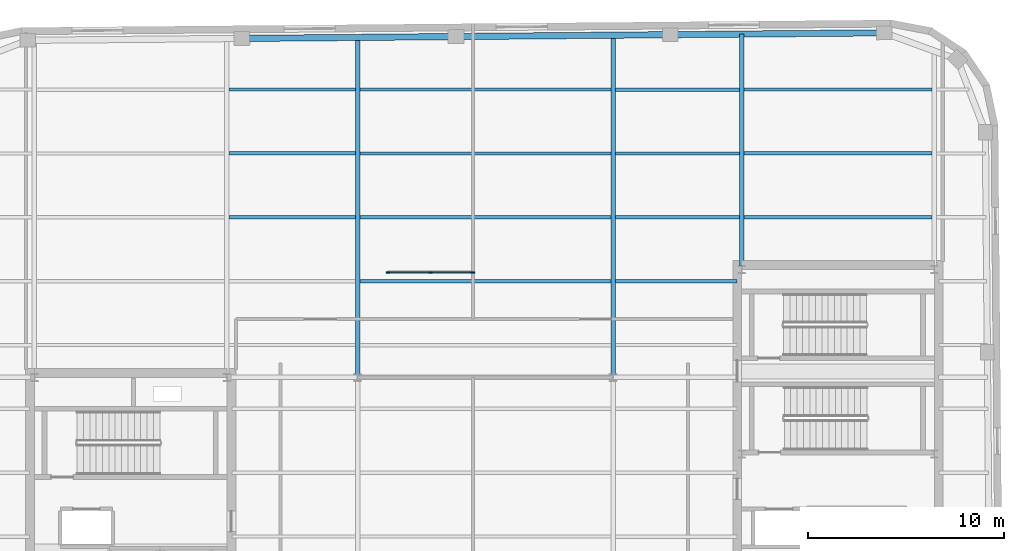
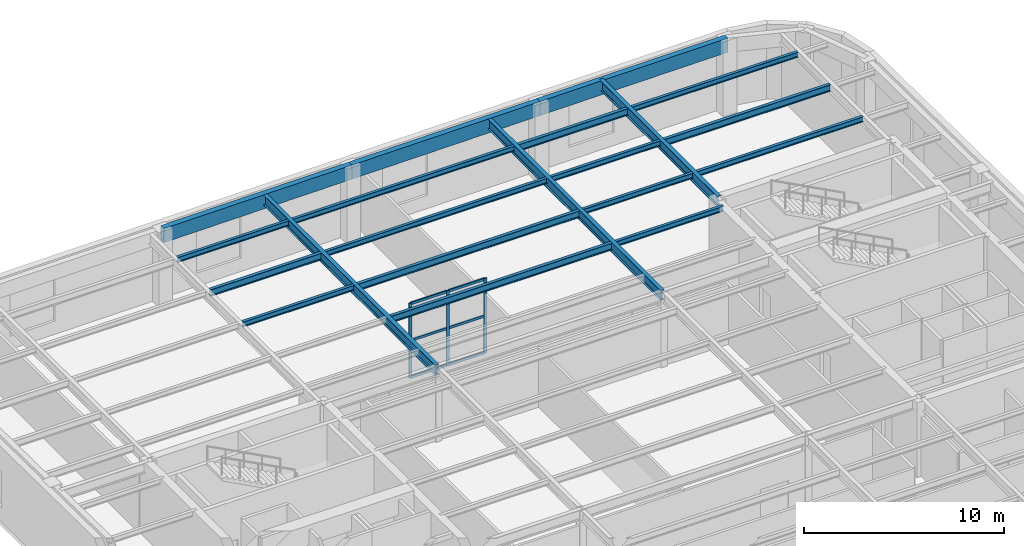
# One storey, part 6 of 13: 20 beams, 9 members, 1 element without a shape of its own.
"""IFC4 building model written with IfcOpenShell, lengths in metres."""

from ifc_helpers import new_model, si_unit, direction, frame, origin, origin_2d, place, context, subcontext, project, spatial, rectangle, hollow_rectangle, i_section, extrude, material, material_profile, profile_set, type_object, element, aggregate, save


model = new_model("IFC4")

# Units and contexts
model_context = context("Model", 3, precision=1e-05, world=origin(), true_north=direction((0.0, 1.0)))
body_context = subcontext(model_context, "Body", "Model", "MODEL_VIEW")
ifc_project = project(units=[si_unit("LENGTHUNIT", "METRE"), si_unit("AREAUNIT", "SQUARE_METRE"), si_unit("VOLUMEUNIT", "CUBIC_METRE"), si_unit("PLANEANGLEUNIT", "RADIAN"), si_unit("MASSUNIT", "GRAM", prefix="KILO")], contexts=[model_context])

# Site, building, storey
site_placement = place(None, origin())
site = spatial("IfcSite", under=ifc_project, at=site_placement, CompositionType="ELEMENT")
building_placement = place(site_placement, origin())
building = spatial("IfcBuilding", under=site, at=building_placement, Name="Kolvaren Arena Tower", CompositionType="ELEMENT")
storey_placement = place(building_placement, frame((0.0, 0.0, 312.39990234375)))
storey = spatial("IfcBuildingStorey", under=building, at=storey_placement, Name="L77", CompositionType="ELEMENT", Elevation=312.39990234375)

# Beams
ifc_material_1 = material(Name="Steel CSA G40.21 350W", Category="steel")
ifc_material_profile_1 = material_profile(ifc_material_1, i_section(OverallWidth=0.180908203125, OverallDepth=0.4169921875, WebThickness=0.010986328125, FlangeThickness=0.018310546875, FilletRadius=0.011962890625, at=origin_2d()), Name="W410x85")
ifc_profile_set_1 = profile_set([ifc_material_profile_1], Name="Steel CSA G40.21 350W")
beam_type_1 = type_object("IfcBeamType", Name="BEAM-F3", PredefinedType="BEAM", material=ifc_profile_set_1)
for number, where, z_axis, x_axis, name in (
    (1, (31.114013671875, 38.75, 4.3515625), (1.0, 0.0, 0.0), (0.0, 1.0, 0.0), "Composite Floor Beam (L77)"),
    (2, (31.114013671875, 42.0, 4.3515625), (1.0, 0.0, 0.0), (0.0, 1.0, 0.0), "Composite Floor Beam (L77)"),
):
    element("IfcBeam", number, at=place(storey_placement, frame(where, z_axis=z_axis, x_axis=x_axis)), inside=storey, type_object=beam_type_1, Name=name, PredefinedType="BEAM", context=body_context, shape_type="SweptSolid", body=[
        extrude(i_section(OverallWidth=0.180908203125, OverallDepth=0.4169921875, WebThickness=0.010986328125, FlangeThickness=0.018310546875, FilletRadius=0.011962890625, at=origin_2d()), origin(), (0.0, 0.0, 1.0), 12.77197265625),
    ])
beam_1_placement = place(storey_placement, frame((24.464111328125, 45.25, 4.3515625), z_axis=(1.0, 0.0, 0.0), x_axis=(0.0, 1.0, 0.0)))
element("IfcBeam", 3, at=beam_1_placement, inside=storey, type_object=beam_type_1, Name="Composite Floor Beam (L77)", PredefinedType="BEAM", context=body_context, shape_type="SweptSolid", body=[
    extrude(i_section(OverallWidth=0.180908203125, OverallDepth=0.4169921875, WebThickness=0.010986328125, FlangeThickness=0.018310546875, FilletRadius=0.011962890625, at=origin_2d()), origin(), (0.0, 0.0, 1.0), 6.421875),
])
beam_2_placement = place(storey_placement, frame((50.6640625, 45.25, 4.3515625), z_axis=(1.0, 0.0, 0.0), x_axis=(0.0, 1.0, 0.0)))
element("IfcBeam", 4, at=beam_2_placement, inside=storey, type_object=beam_type_1, Name="Composite Floor Beam (L77)", PredefinedType="BEAM", context=body_context, shape_type="SweptSolid", body=[
    extrude(i_section(OverallWidth=0.180908203125, OverallDepth=0.4169921875, WebThickness=0.010986328125, FlangeThickness=0.018310546875, FilletRadius=0.011962890625, at=origin_2d()), origin(), (0.0, 0.0, 1.0), 9.572021484375),
])
beam_3_placement = place(storey_placement, frame((44.114013671875, 48.5, 4.3515625), z_axis=(1.0, 0.0, 0.0), x_axis=(0.0, 1.0, 0.0)))
element("IfcBeam", 5, at=beam_3_placement, inside=storey, type_object=beam_type_1, Name="Composite Floor Beam (L77)", PredefinedType="BEAM", context=body_context, shape_type="SweptSolid", body=[
    extrude(i_section(OverallWidth=0.180908203125, OverallDepth=0.4169921875, WebThickness=0.010986328125, FlangeThickness=0.018310546875, FilletRadius=0.011962890625, at=origin_2d()), origin(), (0.0, 0.0, 1.0), 6.322021484375),
])

# Curtain wall, members
ifc_material_2 = material(Name="Anodised aluminium unitised curtain wall", Category="aluminium")
curtain_wall_type = type_object("IfcCurtainWallType", Name="CW-SYS-06", PredefinedType="USERDEFINED", material=ifc_material_2)
curtain_wall_placement = place(storey_placement, origin())
curtain_wall = element("IfcCurtainWall", 6, at=curtain_wall_placement, inside=storey, type_object=curtain_wall_type, Name="Wintergarden Glazed Curtain Wall (L77)", ObjectType="UNITISED CURTAIN WALL", PredefinedType="USERDEFINED")
ifc_material_3 = material(Name="Anodised aluminium 6063-T6", Category="aluminium")
ifc_material_profile_2 = material_profile(ifc_material_3, rectangle(XDim=0.080078125, YDim=0.179931640625, at=origin_2d()), Name="ALU-80x180")
ifc_profile_set_2 = profile_set([ifc_material_profile_2], Name="Anodised aluminium 6063-T6")
member_type_1 = type_object("IfcMemberType", Name="CWM-STD", PredefinedType="MULLION", material=ifc_profile_set_2)
member_1_placement = place(storey_placement, frame((32.5400390625, 39.199951171875, 0.0), z_axis=(0.0, 0.0, 1.0), x_axis=(0.0, 1.0, 0.0)))
member_1 = element("IfcMember", 7, at=member_1_placement, type_object=member_type_1, Name="CW6 mullion 1", PredefinedType="MULLION", context=body_context, shape_type="SweptSolid", body=[
    extrude(rectangle(XDim=0.080078125, YDim=0.179931640625, at=origin_2d()), origin(), (0.0, 0.0, 1.0), 4.56005859375),
])
member_2_placement = place(storey_placement, frame((34.699951171875, 39.199951171875, 0.0), z_axis=(0.0, 0.0, 1.0), x_axis=(0.0, 1.0, 0.0)))
member_2 = element("IfcMember", 8, at=member_2_placement, type_object=member_type_1, Name="CW6 mullion 2", PredefinedType="MULLION", context=body_context, shape_type="SweptSolid", body=[
    extrude(rectangle(XDim=0.080078125, YDim=0.179931640625, at=origin_2d()), origin(), (0.0, 0.0, 1.0), 4.56005859375),
])
member_3_placement = place(storey_placement, frame((36.860107421875, 39.199951171875, 0.0), z_axis=(0.0, 0.0, 1.0), x_axis=(0.0, 1.0, 0.0)))
member_3 = element("IfcMember", 9, at=member_3_placement, type_object=member_type_1, Name="CW6 mullion 3", PredefinedType="MULLION", context=body_context, shape_type="SweptSolid", body=[
    extrude(rectangle(XDim=0.080078125, YDim=0.179931640625, at=origin_2d()), origin(), (0.0, 0.0, 1.0), 4.56005859375),
])
ifc_material_profile_3 = material_profile(ifc_material_3, rectangle(XDim=0.080078125, YDim=0.14990234375, at=origin_2d()), Name="ALU-80x150")
ifc_profile_set_3 = profile_set([ifc_material_profile_3], Name="Anodised aluminium 6063-T6")
member_type_2 = type_object("IfcMemberType", Name="CWT-STD", PredefinedType="USERDEFINED", material=ifc_profile_set_3)
member_4_placement = place(storey_placement, frame((32.580078125, 39.199951171875, 0.0400390625), z_axis=(1.0, 0.0, 0.0), x_axis=(0.0, 1.0, 0.0)))
member_4 = element("IfcMember", 10, at=member_4_placement, type_object=member_type_2, Name="CW6 transom 1.1", ObjectType="TRANSOM", PredefinedType="USERDEFINED", context=body_context, shape_type="SweptSolid", body=[
    extrude(rectangle(XDim=0.080078125, YDim=0.14990234375, at=origin_2d()), origin(), (0.0, 0.0, 1.0), 2.079833984375),
])
member_5_placement = place(storey_placement, frame((32.580078125, 39.199951171875, 2.280029296875), z_axis=(1.0, 0.0, 0.0), x_axis=(0.0, 1.0, 0.0)))
member_5 = element("IfcMember", 11, at=member_5_placement, type_object=member_type_2, Name="CW6 transom 1.2", ObjectType="TRANSOM", PredefinedType="USERDEFINED", context=body_context, shape_type="SweptSolid", body=[
    extrude(rectangle(XDim=0.080078125, YDim=0.14990234375, at=origin_2d()), origin(), (0.0, 0.0, 1.0), 2.079833984375),
])
member_6_placement = place(storey_placement, frame((32.580078125, 39.199951171875, 4.52001953125), z_axis=(1.0, 0.0, 0.0), x_axis=(0.0, 1.0, 0.0)))
member_6 = element("IfcMember", 12, at=member_6_placement, type_object=member_type_2, Name="CW6 transom 1.3", ObjectType="TRANSOM", PredefinedType="USERDEFINED", context=body_context, shape_type="SweptSolid", body=[
    extrude(rectangle(XDim=0.080078125, YDim=0.14990234375, at=origin_2d()), origin(), (0.0, 0.0, 1.0), 2.079833984375),
])
member_7_placement = place(storey_placement, frame((34.739990234375, 39.199951171875, 0.0400390625), z_axis=(1.0, 0.0, 0.0), x_axis=(0.0, 1.0, 0.0)))
member_7 = element("IfcMember", 13, at=member_7_placement, type_object=member_type_2, Name="CW6 transom 2.1", ObjectType="TRANSOM", PredefinedType="USERDEFINED", context=body_context, shape_type="SweptSolid", body=[
    extrude(rectangle(XDim=0.080078125, YDim=0.14990234375, at=origin_2d()), origin(), (0.0, 0.0, 1.0), 2.080078125),
])
member_8_placement = place(storey_placement, frame((34.739990234375, 39.199951171875, 2.280029296875), z_axis=(1.0, 0.0, 0.0), x_axis=(0.0, 1.0, 0.0)))
member_8 = element("IfcMember", 14, at=member_8_placement, type_object=member_type_2, Name="CW6 transom 2.2", ObjectType="TRANSOM", PredefinedType="USERDEFINED", context=body_context, shape_type="SweptSolid", body=[
    extrude(rectangle(XDim=0.080078125, YDim=0.14990234375, at=origin_2d()), origin(), (0.0, 0.0, 1.0), 2.080078125),
])
member_9_placement = place(storey_placement, frame((34.739990234375, 39.199951171875, 4.52001953125), z_axis=(1.0, 0.0, 0.0), x_axis=(0.0, 1.0, 0.0)))
member_9 = element("IfcMember", 15, at=member_9_placement, type_object=member_type_2, Name="CW6 transom 2.3", ObjectType="TRANSOM", PredefinedType="USERDEFINED", context=body_context, shape_type="SweptSolid", body=[
    extrude(rectangle(XDim=0.080078125, YDim=0.14990234375, at=origin_2d()), origin(), (0.0, 0.0, 1.0), 2.080078125),
])
aggregate(curtain_wall, [member_1, member_2, member_3, member_4, member_5, member_6, member_7, member_8, member_9])

# Beams
ifc_material_profile_4 = material_profile(ifc_material_1, i_section(OverallWidth=0.22802734375, OverallDepth=0.615966796875, WebThickness=0.013916015625, FlangeThickness=0.02490234375, FilletRadius=0.014892578125, at=origin_2d()), Name="W610x174")
ifc_profile_set_4 = profile_set([ifc_material_profile_4], Name="Steel CSA G40.21 350W")
beam_type_2 = type_object("IfcBeamType", Name="GIRD-T3", PredefinedType="BEAM", material=ifc_profile_set_4)
beam_4_placement = place(storey_placement, frame((31.0, 33.85009765625, 4.252197265625), z_axis=(0.0, 1.0, 0.0), x_axis=(-1.0, 0.0, 0.0)))
element("IfcBeam", 16, at=beam_4_placement, inside=storey, type_object=beam_type_2, Name="Primary Floor Girder (L77)", PredefinedType="BEAM", context=body_context, shape_type="SweptSolid", body=[
    extrude(i_section(OverallWidth=0.22802734375, OverallDepth=0.615966796875, WebThickness=0.013916015625, FlangeThickness=0.02490234375, FilletRadius=0.014892578125, at=origin_2d()), origin(), (0.0, 0.0, 1.0), 17.305419921875),
])
beam_5_placement = place(storey_placement, frame((44.0, 33.85009765625, 4.252197265625), z_axis=(0.0, 1.0, 0.0), x_axis=(-1.0, 0.0, 0.0)))
element("IfcBeam", 17, at=beam_5_placement, inside=storey, type_object=beam_type_2, Name="Primary Floor Girder (L77)", PredefinedType="BEAM", context=body_context, shape_type="SweptSolid", body=[
    extrude(i_section(OverallWidth=0.22802734375, OverallDepth=0.615966796875, WebThickness=0.013916015625, FlangeThickness=0.02490234375, FilletRadius=0.014892578125, at=origin_2d()), origin(), (0.0, 0.0, 1.0), 17.418701171875),
])
beam_6_placement = place(storey_placement, frame((50.550048828125, 39.554931640625, 4.252197265625), z_axis=(0.0, 1.0, 0.0), x_axis=(-1.0, 0.0, 0.0)))
element("IfcBeam", 18, at=beam_6_placement, inside=storey, type_object=beam_type_2, Name="Primary Floor Girder (L77)", PredefinedType="BEAM", context=body_context, shape_type="SweptSolid", body=[
    extrude(i_section(OverallWidth=0.22802734375, OverallDepth=0.615966796875, WebThickness=0.013916015625, FlangeThickness=0.02490234375, FilletRadius=0.014892578125, at=origin_2d()), origin(), (0.0, 0.0, 1.0), 11.771240234375),
])
ifc_material_profile_5 = material_profile(ifc_material_1, i_section(OverallWidth=0.1669921875, OverallDepth=0.31689453125, WebThickness=0.007568359375, FlangeThickness=0.01318359375, FilletRadius=0.010009765625, at=origin_2d()), Name="W310x52")
ifc_profile_set_5 = profile_set([ifc_material_profile_5], Name="Steel CSA G40.21 350W")
beam_type_3 = type_object("IfcBeamType", Name="JOIST-02", PredefinedType="JOIST", material=ifc_profile_set_5)
beam_7_placement = place(storey_placement, frame((44.114013671875, 38.75, 4.401611328125), z_axis=(1.0, 0.0, 0.0), x_axis=(0.0, 1.0, 0.0)))
element("IfcBeam", 19, at=beam_7_placement, inside=storey, type_object=beam_type_3, Name="Composite Floor Joist (L77)", PredefinedType="JOIST", context=body_context, shape_type="SweptSolid", body=[
    extrude(i_section(OverallWidth=0.1669921875, OverallDepth=0.31689453125, WebThickness=0.007568359375, FlangeThickness=0.01318359375, FilletRadius=0.010009765625, at=origin_2d()), origin(), (0.0, 0.0, 1.0), 6.19091796875),
])
beam_8_placement = place(storey_placement, frame((24.464111328125, 42.0, 4.401611328125), z_axis=(1.0, 0.0, 0.0), x_axis=(0.0, 1.0, 0.0)))
element("IfcBeam", 20, at=beam_8_placement, inside=storey, type_object=beam_type_3, Name="Composite Floor Joist (L77)", PredefinedType="JOIST", context=body_context, shape_type="SweptSolid", body=[
    extrude(i_section(OverallWidth=0.1669921875, OverallDepth=0.31689453125, WebThickness=0.007568359375, FlangeThickness=0.01318359375, FilletRadius=0.010009765625, at=origin_2d()), origin(), (0.0, 0.0, 1.0), 6.421875),
])
beam_9_placement = place(storey_placement, frame((44.114013671875, 42.0, 4.401611328125), z_axis=(1.0, 0.0, 0.0), x_axis=(0.0, 1.0, 0.0)))
element("IfcBeam", 21, at=beam_9_placement, inside=storey, type_object=beam_type_3, Name="Composite Floor Joist (L77)", PredefinedType="JOIST", context=body_context, shape_type="SweptSolid", body=[
    extrude(i_section(OverallWidth=0.1669921875, OverallDepth=0.31689453125, WebThickness=0.007568359375, FlangeThickness=0.01318359375, FilletRadius=0.010009765625, at=origin_2d()), origin(), (0.0, 0.0, 1.0), 6.322021484375),
])
beam_10_placement = place(storey_placement, frame((50.6640625, 42.0, 4.401611328125), z_axis=(1.0, 0.0, 0.0), x_axis=(0.0, 1.0, 0.0)))
element("IfcBeam", 22, at=beam_10_placement, inside=storey, type_object=beam_type_3, Name="Composite Floor Joist (L77)", PredefinedType="JOIST", context=body_context, shape_type="SweptSolid", body=[
    extrude(i_section(OverallWidth=0.1669921875, OverallDepth=0.31689453125, WebThickness=0.007568359375, FlangeThickness=0.01318359375, FilletRadius=0.010009765625, at=origin_2d()), origin(), (0.0, 0.0, 1.0), 9.572021484375),
])
beam_11_placement = place(storey_placement, frame((31.114013671875, 45.25, 4.401611328125), z_axis=(1.0, 0.0, 0.0), x_axis=(0.0, 1.0, 0.0)))
element("IfcBeam", 23, at=beam_11_placement, inside=storey, type_object=beam_type_3, Name="Composite Floor Joist (L77)", PredefinedType="JOIST", context=body_context, shape_type="SweptSolid", body=[
    extrude(i_section(OverallWidth=0.1669921875, OverallDepth=0.31689453125, WebThickness=0.007568359375, FlangeThickness=0.01318359375, FilletRadius=0.010009765625, at=origin_2d()), origin(), (0.0, 0.0, 1.0), 12.77197265625),
])
beam_12_placement = place(storey_placement, frame((44.114013671875, 45.25, 4.401611328125), z_axis=(1.0, 0.0, 0.0), x_axis=(0.0, 1.0, 0.0)))
element("IfcBeam", 24, at=beam_12_placement, inside=storey, type_object=beam_type_3, Name="Composite Floor Joist (L77)", PredefinedType="JOIST", context=body_context, shape_type="SweptSolid", body=[
    extrude(i_section(OverallWidth=0.1669921875, OverallDepth=0.31689453125, WebThickness=0.007568359375, FlangeThickness=0.01318359375, FilletRadius=0.010009765625, at=origin_2d()), origin(), (0.0, 0.0, 1.0), 6.322021484375),
])
beam_13_placement = place(storey_placement, frame((24.464111328125, 48.5, 4.401611328125), z_axis=(1.0, 0.0, 0.0), x_axis=(0.0, 1.0, 0.0)))
element("IfcBeam", 25, at=beam_13_placement, inside=storey, type_object=beam_type_3, Name="Composite Floor Joist (L77)", PredefinedType="JOIST", context=body_context, shape_type="SweptSolid", body=[
    extrude(i_section(OverallWidth=0.1669921875, OverallDepth=0.31689453125, WebThickness=0.007568359375, FlangeThickness=0.01318359375, FilletRadius=0.010009765625, at=origin_2d()), origin(), (0.0, 0.0, 1.0), 6.421875),
])
beam_14_placement = place(storey_placement, frame((31.114013671875, 48.5, 4.401611328125), z_axis=(1.0, 0.0, 0.0), x_axis=(0.0, 1.0, 0.0)))
element("IfcBeam", 26, at=beam_14_placement, inside=storey, type_object=beam_type_3, Name="Composite Floor Joist (L77)", PredefinedType="JOIST", context=body_context, shape_type="SweptSolid", body=[
    extrude(i_section(OverallWidth=0.1669921875, OverallDepth=0.31689453125, WebThickness=0.007568359375, FlangeThickness=0.01318359375, FilletRadius=0.010009765625, at=origin_2d()), origin(), (0.0, 0.0, 1.0), 12.77197265625),
])
beam_15_placement = place(storey_placement, frame((50.6640625, 48.5, 4.401611328125), z_axis=(1.0, 0.0, 0.0), x_axis=(0.0, 1.0, 0.0)))
element("IfcBeam", 27, at=beam_15_placement, inside=storey, type_object=beam_type_3, Name="Composite Floor Joist (L77)", PredefinedType="JOIST", context=body_context, shape_type="SweptSolid", body=[
    extrude(i_section(OverallWidth=0.1669921875, OverallDepth=0.31689453125, WebThickness=0.007568359375, FlangeThickness=0.01318359375, FilletRadius=0.010009765625, at=origin_2d()), origin(), (0.0, 0.0, 1.0), 9.572021484375),
])
ifc_material_4 = material(Name="Steel CSA G40.21 350WT", Category="steel")
ifc_material_profile_6 = material_profile(ifc_material_4, hollow_rectangle(XDim=0.320068359375, YDim=0.860107421875, WallThickness=0.01806640625, at=origin_2d()), Name="HSS 860x320x18")
ifc_profile_set_6 = profile_set([ifc_material_profile_6], Name="Steel CSA G40.21 350WT")
beam_type_4 = type_object("IfcBeamType", Name="SPAND-02", PredefinedType="SPANDREL", material=ifc_profile_set_6)
for number, where, z_axis, x_axis, name in (
    (28, (57.80810546875, 51.389404296875, 4.130126953125), (-0.999961846999, -0.008735247404, 0.0), (0.008735247404, -0.999961846999, 0.0), "Perimeter Spandrel Beam (L77)"),
    (29, (46.908447265625, 51.294189453125, 4.130126953125), (-0.999962042393, -0.008712851036, 0.0), (0.008712851036, -0.999962042393, 0.0), "Perimeter Spandrel Beam (L77)"),
):
    element("IfcBeam", number, at=place(storey_placement, frame(where, z_axis=z_axis, x_axis=x_axis)), inside=storey, type_object=beam_type_4, Name=name, PredefinedType="SPANDREL", context=body_context, shape_type="SweptSolid", body=[
        extrude(hollow_rectangle(XDim=0.320068359375, YDim=0.860107421875, WallThickness=0.01806640625, at=origin_2d()), origin(), (0.0, 0.0, 1.0), 10.900146484375),
    ])
beam_16_placement = place(storey_placement, frame((36.0087890625, 51.19921875, 4.130126953125), z_axis=(-0.999961845289, -0.008735443053, 0.0), x_axis=(0.008735443053, -0.999961845289, 0.0)))
element("IfcBeam", 30, at=beam_16_placement, inside=storey, type_object=beam_type_4, Name="Perimeter Spandrel Beam (L77)", PredefinedType="SPANDREL", context=body_context, shape_type="SweptSolid", body=[
    extrude(hollow_rectangle(XDim=0.320068359375, YDim=0.860107421875, WallThickness=0.01806640625, at=origin_2d()), origin(), (0.0, 0.0, 1.0), 10.89990234375),
])

save(model, "model.ifc")
